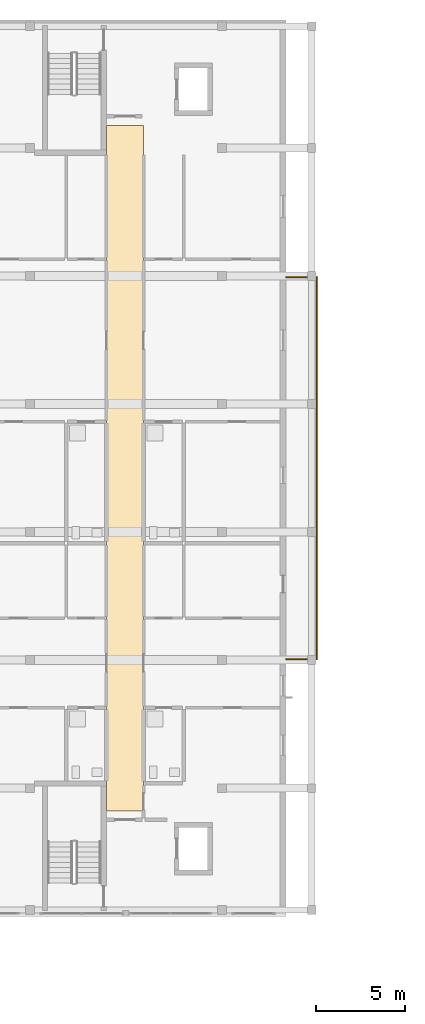
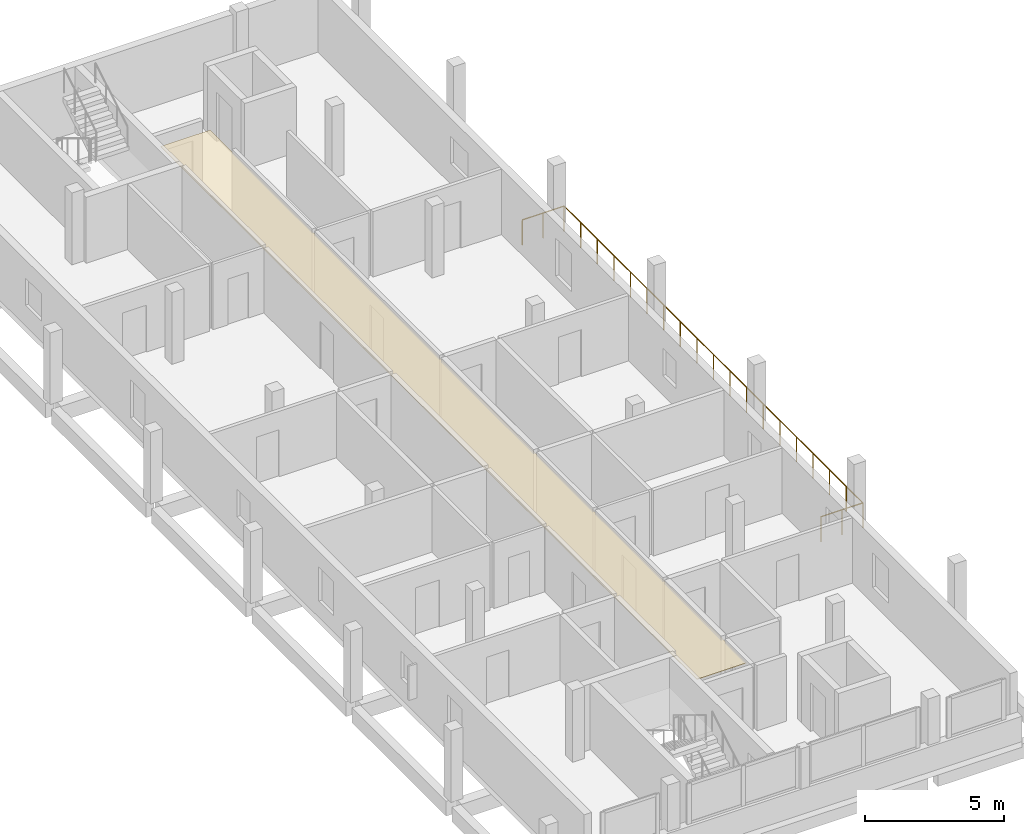
# One storey, part 13 of 16: 1 covering, 1 railing.
"""IFC4 building model written with IfcOpenShell, lengths in metres."""

import ifcopenshell
import ifcopenshell.guid

model = None  # the IFC model being written
_history = None  # IfcOwnerHistory: only IFC2X3 demands one
_inside = {}  # id of a spatial element -> (the spatial element, [elements in it])
_under = {}  # id of a project, library or spatial element -> (it, [spatial elements below it])
_declared = {}  # id of a project -> (the project, [libraries it declares])
_typed = {}  # id of a type object -> (the type object, [elements of that type])
_made_of = {}  # id of a material, layer set ... -> (it, [elements and type objects made of it])


def new_model(schema):
    """Start an empty IFC model of exactly this schema.

    Asked for "IFC4X3", IfcOpenShell would pick the latest addendum, in which some entities
    have other attributes; the version numbers below select the first issue.
    IFC2X3 requires an IfcOwnerHistory on every rooted entity: one is made here for all.
    """
    global model, _history
    if schema == "IFC4X3":
        model = ifcopenshell.file(schema_version=(4, 3, 0, 0))
    else:
        model = ifcopenshell.file(schema=schema)
    _inside.clear()
    _under.clear()
    _declared.clear()
    _typed.clear()
    _made_of.clear()
    _history = None
    if model.schema == "IFC2X3":
        org = make("IfcOrganization", Name="unknown")
        user = make(
            "IfcPersonAndOrganization",
            ThePerson=make("IfcPerson", FamilyName="unknown"),
            TheOrganization=org,
        )
        app = make(
            "IfcApplication",
            ApplicationDeveloper=org,
            Version="unknown",
            ApplicationFullName="unknown",
            ApplicationIdentifier="unknown",
        )
        _history = make(
            "IfcOwnerHistory",
            OwningUser=user,
            OwningApplication=app,
            ChangeAction="ADDED",
            CreationDate=0,
        )
    return model


def make(cls, **values):
    """One entity of the class cls with the attributes given. An attribute that is None is left unset."""
    return model.create_entity(
        cls, **{name: value for name, value in values.items() if value is not None}
    )


def rooted(cls, **values):
    """An entity with a GlobalId (a new one), such as an element, a storey or a relation."""
    return make(cls, GlobalId=ifcopenshell.guid.new(), OwnerHistory=_history, **values)


def si_unit(unit_type, name, prefix=None):
    """IfcSIUnit, for example si_unit("LENGTHUNIT", "METRE", prefix="MILLI")."""
    return make("IfcSIUnit", UnitType=unit_type, Prefix=prefix, Name=name)


def derived_unit(unit_type, elements):
    """IfcDerivedUnit: a product of units, each with its exponent."""
    return make(
        "IfcDerivedUnit",
        Elements=[
            make("IfcDerivedUnitElement", Unit=unit, Exponent=power)
            for unit, power in elements
        ],
        UnitType=unit_type,
    )


def assignment(units):
    """IfcUnitAssignment: the units of a project."""
    return None if units is None else make("IfcUnitAssignment", Units=units)


def point(xyz):
    """IfcCartesianPoint."""
    return None if xyz is None else make("IfcCartesianPoint", Coordinates=xyz)


def direction(xyz):
    """IfcDirection."""
    return None if xyz is None else make("IfcDirection", DirectionRatios=xyz)


def frame(location, z_axis=None, x_axis=None):
    """IfcAxis2Placement3D, a coordinate frame: its origin and axes. An axis left out is left unset."""
    return make(
        "IfcAxis2Placement3D",
        Location=point(location),
        Axis=direction(z_axis),
        RefDirection=direction(x_axis),
    )


def frame_2d(location, x_axis=None):
    """IfcAxis2Placement2D, a coordinate frame in the plane: its origin and x axis."""
    return make(
        "IfcAxis2Placement2D", Location=point(location), RefDirection=direction(x_axis)
    )


def origin():
    """The frame at (0, 0, 0) with its axes left unset."""
    return frame((0.0, 0.0, 0.0))


def origin_2d():
    """The frame at (0, 0) in the plane with its x axis left unset."""
    return frame_2d((0.0, 0.0))


def place(relative_to, where):
    """IfcLocalPlacement: puts the frame where relative to a parent placement (None: the world)."""
    return make(
        "IfcLocalPlacement", PlacementRelTo=relative_to, RelativePlacement=where
    )


def context(
    kind, dimensions, precision=None, world=None, true_north=None, identifier=None
):
    """IfcGeometricRepresentationContext, for example the 3D "Model" context."""
    return make(
        "IfcGeometricRepresentationContext",
        ContextIdentifier=identifier,
        ContextType=kind,
        CoordinateSpaceDimension=dimensions,
        Precision=precision,
        WorldCoordinateSystem=world,
        TrueNorth=true_north,
    )


def subcontext(parent, identifier, kind, view, scale=None):
    """IfcGeometricRepresentationSubContext, for example "Body" below "Model"."""
    return make(
        "IfcGeometricRepresentationSubContext",
        ContextIdentifier=identifier,
        ContextType=kind,
        ParentContext=parent,
        TargetScale=scale,
        TargetView=view,
    )


def project(units=None, contexts=None):
    """IfcProject with its units and contexts."""
    return rooted(
        "IfcProject",
        Name="project",
        RepresentationContexts=contexts,
        UnitsInContext=assignment(units),
    )


def spatial(cls, under=None, at=None, **own):
    """A site, building, storey or space (cls), placed at a placement, below another one or the project."""
    s = rooted(cls, ObjectPlacement=at, **own)
    if under is not None:
        _under.setdefault(under.id(), (under, []))[1].append(s)
    return s


def polyline(points):
    """IfcPolyline through the points."""
    return make("IfcPolyline", Points=[point(p) for p in points])


def profile(cls, at=None, kind="AREA", **sizes):
    """A parametric profile (cls). Its sizes go by their IFC names, for example OverallWidth=200.0."""
    return make(cls, ProfileType=kind, Position=at, **sizes)


def circle(**sizes):
    """IfcCircleProfileDef."""
    return profile("IfcCircleProfileDef", **sizes)


def outline(outer, holes=None, kind="AREA"):
    """IfcArbitraryClosedProfileDef: a profile drawn as a closed curve; with holes, ...WithVoids."""
    if holes is None:
        return make("IfcArbitraryClosedProfileDef", ProfileType=kind, OuterCurve=outer)
    return make(
        "IfcArbitraryProfileDefWithVoids",
        ProfileType=kind,
        OuterCurve=outer,
        InnerCurves=holes,
    )


def extrude(swept, where, along, depth):
    """IfcExtrudedAreaSolid: the profile swept, set in the frame where, extruded along a direction by depth."""
    return make(
        "IfcExtrudedAreaSolid",
        SweptArea=swept,
        Position=where,
        ExtrudedDirection=direction(along),
        Depth=depth,
    )


def shape(context_of_items, identifier, shape_type, items):
    """IfcShapeRepresentation: the items that make up one representation, for example the "Body"."""
    return make(
        "IfcShapeRepresentation",
        ContextOfItems=context_of_items,
        RepresentationIdentifier=identifier,
        RepresentationType=shape_type,
        Items=items,
    )


def material(Name=None, Category=None):
    """IfcMaterial."""
    return make("IfcMaterial", Name=Name, Category=Category)


def layer(
    of_material, thickness, ventilated=None, Name=None, Category=None, Priority=None
):
    """IfcMaterialLayer: one layer of a wall or slab, of a material (None: an air gap)."""
    return make(
        "IfcMaterialLayer",
        Material=of_material,
        LayerThickness=thickness,
        IsVentilated=ventilated,
        Name=Name,
        Category=Category,
        Priority=Priority,
    )


def layer_set(layers, Name=None):
    """IfcMaterialLayerSet."""
    return make("IfcMaterialLayerSet", MaterialLayers=layers, LayerSetName=Name)


def made_of(thing, what):
    """Note that an element or type object is made of a material, layer set ...; save() writes the relation."""
    if what is not None:
        _made_of.setdefault(what.id(), (what, []))[1].append(thing)
    return thing


def type_object(cls, material=None, **own):
    """A type object (cls), such as IfcWallType, which elements share."""
    return made_of(rooted(cls, **own), material)


def element(
    cls,
    number,
    at=None,
    inside=None,
    cuts=None,
    type_object=None,
    material=None,
    context=None,
    identifier="Body",
    shape_type=None,
    held_by="IfcProductDefinitionShape",
    body=None,
    shapes=None,
    **own,
):
    """One element of the class cls, such as IfcWall. Its Tag is "e" and its number.

    at: its placement. inside: the storey or other place that contains it. cuts: it is an
    opening in that element (IfcRelVoidsElement). A single representation is given by context,
    identifier, shape_type and body (its items); several are given by shapes. held_by: the class
    of the entity that holds the representations. save() writes the other relations.
    """
    e = rooted(cls, Tag="e%d" % number, ObjectPlacement=at, **own)
    if body is not None:
        shapes = [shape(context, identifier, shape_type, body)]
    if shapes is not None:
        e.Representation = make(held_by, Representations=shapes)
    if inside is not None:
        _inside.setdefault(inside.id(), (inside, []))[1].append(e)
    if cuts is not None:
        rooted(
            "IfcRelVoidsElement", RelatingBuildingElement=cuts, RelatedOpeningElement=e
        )
    if type_object is not None:
        _typed.setdefault(type_object.id(), (type_object, []))[1].append(e)
    return made_of(e, material)


def aggregate(whole, parts):
    """IfcRelAggregates: a whole, such as a stair, and the parts it consists of."""
    return rooted("IfcRelAggregates", RelatingObject=whole, RelatedObjects=parts)


def save(model, path):
    """Write the relations noted so far, then the file.

    IfcRelAggregates (storeys below a building ...), IfcRelContainedInSpatialStructure (elements
    in a storey), IfcRelDefinesByType, IfcRelAssociatesMaterial and IfcRelDeclares: one each for
    every whole, place, type object, material and project.
    """
    for whole, parts in _under.values():
        aggregate(whole, parts)
    for where, things in _inside.values():
        rooted(
            "IfcRelContainedInSpatialStructure",
            RelatedElements=things,
            RelatingStructure=where,
        )
    for kind, things in _typed.values():
        rooted("IfcRelDefinesByType", RelatedObjects=things, RelatingType=kind)
    for what, things in _made_of.values():
        rooted("IfcRelAssociatesMaterial", RelatedObjects=things, RelatingMaterial=what)
    for by, libraries in _declared.values():
        rooted("IfcRelDeclares", RelatingContext=by, RelatedDefinitions=libraries)
    model.write(path)


model = new_model("IFC4")

# Units and contexts
model_context = context("Model", 3, precision=1e-05, world=origin(), true_north=direction((0.0, 1.0)))
body_context = subcontext(model_context, "Body", "Model", "MODEL_VIEW")
ifc_project = project(units=[si_unit("LENGTHUNIT", "METRE"), si_unit("AREAUNIT", "SQUARE_METRE"), si_unit("VOLUMEUNIT", "CUBIC_METRE"), si_unit("PLANEANGLEUNIT", "RADIAN"), si_unit("MASSUNIT", "GRAM", prefix="KILO"), derived_unit("THERMALTRANSMITTANCEUNIT", [(si_unit("MASSUNIT", "GRAM", prefix="KILO"), 1), (si_unit("TIMEUNIT", "SECOND"), -3), (si_unit("THERMODYNAMICTEMPERATUREUNIT", "KELVIN"), -1)])], contexts=[model_context])

# Site, building, storey
site_placement = place(None, origin())
site = spatial("IfcSite", under=ifc_project, at=site_placement, CompositionType="ELEMENT")
building_placement = place(site_placement, origin())
building = spatial("IfcBuilding", under=site, at=building_placement, Name="Ochrekiln Boulevard Commons", CompositionType="ELEMENT")
storey_placement = place(building_placement, frame((0.0, 0.0, 40.425048828125)))
storey = spatial("IfcBuildingStorey", under=building, at=storey_placement, Name="L12", CompositionType="ELEMENT", Elevation=40.425048828125)

# Covering
ifc_material_1 = material(Name="Mineral-fibre acoustic ceiling tile")
ifc_layer = layer(ifc_material_1, 0.02490234375)
ifc_layer_set = layer_set([ifc_layer], Name="Mineral-fibre acoustic ceiling tile")
covering_type = type_object("IfcCoveringType", Name="COV-CEIL-AC", PredefinedType="CEILING", material=ifc_layer_set)
covering_placement = place(storey_placement, frame((0.0, 0.0, 2.64990234375)))
element("IfcCovering", 1, at=covering_placement, inside=storey, type_object=covering_type, Name="L12 Acoustic Corridor Ceiling 71", PredefinedType="CEILING", context=body_context, shape_type="SweptSolid", body=[
    extrude(outline(polyline([(9.719970703125, 74.320068359375), (11.780029296875, 74.320068359375), (11.780029296875, 112.8798828125), (9.719970703125, 112.8798828125), (9.719970703125, 74.320068359375)])), origin(), (0.0, 0.0, 1.0), 0.025146484375),
])

# Railing
ifc_material_2 = material(Name="Bronze-anodized extruded aluminium 6063-T6", Category="aluminium")
railing_type = type_object("IfcRailingType", Name="RLG-BAL-1120", PredefinedType="BALUSTRADE", material=ifc_material_2)
railing_placement = place(storey_placement, frame((19.800048828125, 82.860107421875, 0.0)))
element("IfcRailing", 2, at=railing_placement, inside=storey, type_object=railing_type, Name="Block A L12 East Loggia Guard", PredefinedType="BALUSTRADE", context=body_context, shape_type="SweptSolid", body=[
    extrude(circle(Radius=0.02392578125, at=origin_2d()), frame((0.0, 0.0, 1.09619140625), z_axis=(1.0, 0.0, 0.0), x_axis=(0.0, 1.0, 0.0)), (0.0, 0.0, 1.0), 1.739990234375),
    extrude(circle(Radius=0.02392578125, at=origin_2d()), frame((1.739990234375, 0.0, 1.09619140625), z_axis=(0.0, 1.0, 0.0), x_axis=(-1.0, 0.0, 0.0)), (0.0, 0.0, 1.0), 21.47998046875),
    extrude(circle(Radius=0.02392578125, at=origin_2d()), frame((1.739990234375, 21.47998046875, 1.09619140625), z_axis=(-1.0, 0.0, 0.0), x_axis=(0.0, -1.0, 0.0)), (0.0, 0.0, 1.0), 1.739990234375),
    extrude(circle(Radius=0.02099609375, at=origin_2d()), origin(), (0.0, 0.0, 1.0), 1.072021484375),
    extrude(circle(Radius=0.02099609375, at=origin_2d()), frame((0.8701171875, 0.0, 0.0)), (0.0, 0.0, 1.0), 1.072021484375),
    extrude(circle(Radius=0.02099609375, at=origin_2d()), frame((1.739990234375, 0.0, 0.0)), (0.0, 0.0, 1.0), 1.072021484375),
    extrude(circle(Radius=0.02099609375, at=origin_2d()), frame((1.739990234375, 1.193359375, 0.0)), (0.0, 0.0, 1.0), 1.072021484375),
    extrude(circle(Radius=0.02099609375, at=origin_2d()), frame((1.739990234375, 2.38671875, 0.0)), (0.0, 0.0, 1.0), 1.072021484375),
    extrude(circle(Radius=0.02099609375, at=origin_2d()), frame((1.739990234375, 3.580078125, 0.0)), (0.0, 0.0, 1.0), 1.072021484375),
    extrude(circle(Radius=0.02099609375, at=origin_2d()), frame((1.739990234375, 4.7734375, 0.0)), (0.0, 0.0, 1.0), 1.072021484375),
    extrude(circle(Radius=0.02099609375, at=origin_2d()), frame((1.739990234375, 5.966552734375, 0.0)), (0.0, 0.0, 1.0), 1.072021484375),
    extrude(circle(Radius=0.02099609375, at=origin_2d()), frame((1.739990234375, 7.159912109375, 0.0)), (0.0, 0.0, 1.0), 1.072021484375),
    extrude(circle(Radius=0.02099609375, at=origin_2d()), frame((1.739990234375, 8.353271484375, 0.0)), (0.0, 0.0, 1.0), 1.072021484375),
    extrude(circle(Radius=0.02099609375, at=origin_2d()), frame((1.739990234375, 9.546630859375, 0.0)), (0.0, 0.0, 1.0), 1.072021484375),
    extrude(circle(Radius=0.02099609375, at=origin_2d()), frame((1.739990234375, 10.739990234375, 0.0)), (0.0, 0.0, 1.0), 1.072021484375),
    extrude(circle(Radius=0.02099609375, at=origin_2d()), frame((1.739990234375, 11.933349609375, 0.0)), (0.0, 0.0, 1.0), 1.072021484375),
    extrude(circle(Radius=0.02099609375, at=origin_2d()), frame((1.739990234375, 13.126708984375, 0.0)), (0.0, 0.0, 1.0), 1.072021484375),
    extrude(circle(Radius=0.02099609375, at=origin_2d()), frame((1.739990234375, 14.320068359375, 0.0)), (0.0, 0.0, 1.0), 1.072021484375),
    extrude(circle(Radius=0.02099609375, at=origin_2d()), frame((1.739990234375, 15.513427734375, 0.0)), (0.0, 0.0, 1.0), 1.072021484375),
    extrude(circle(Radius=0.02099609375, at=origin_2d()), frame((1.739990234375, 16.70654296875, 0.0)), (0.0, 0.0, 1.0), 1.072021484375),
    extrude(circle(Radius=0.02099609375, at=origin_2d()), frame((1.739990234375, 17.89990234375, 0.0)), (0.0, 0.0, 1.0), 1.072021484375),
    extrude(circle(Radius=0.02099609375, at=origin_2d()), frame((1.739990234375, 19.09326171875, 0.0)), (0.0, 0.0, 1.0), 1.072021484375),
    extrude(circle(Radius=0.02099609375, at=origin_2d()), frame((1.739990234375, 20.28662109375, 0.0)), (0.0, 0.0, 1.0), 1.072021484375),
    extrude(circle(Radius=0.02099609375, at=origin_2d()), frame((1.739990234375, 21.47998046875, 0.0)), (0.0, 0.0, 1.0), 1.072021484375),
    extrude(circle(Radius=0.02099609375, at=origin_2d()), frame((0.8701171875, 21.47998046875, 0.0)), (0.0, 0.0, 1.0), 1.072021484375),
    extrude(circle(Radius=0.02099609375, at=origin_2d()), frame((0.0, 21.47998046875, 0.0)), (0.0, 0.0, 1.0), 1.072021484375),
])

save(model, "model.ifc")
